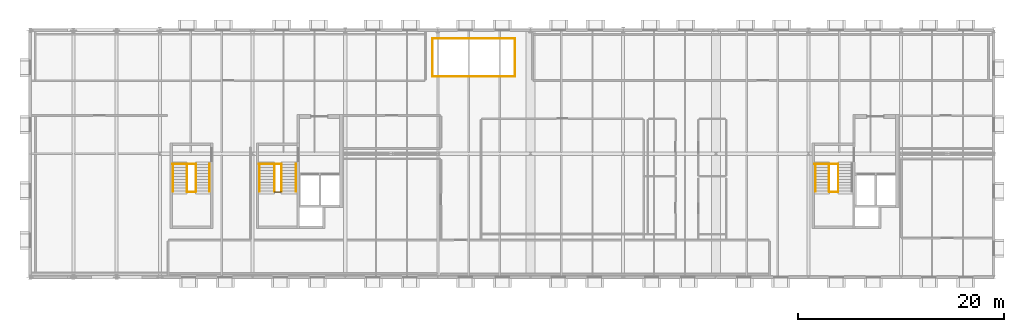
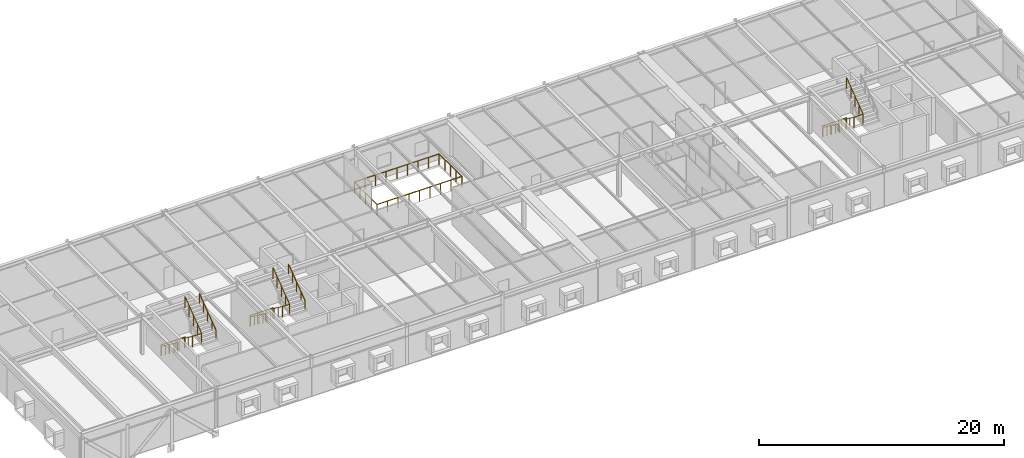
# One storey, part 16 of 17: 21 railings.
"""IFC4 building model written with IfcOpenShell, lengths in metres."""

from ifc_helpers import new_model, si_unit, direction, frame, origin, origin_2d, place, context, subcontext, project, spatial, circle, extrude, material, type_object, element, save


model = new_model("IFC4")

# Units and contexts
model_context = context("Model", 3, precision=1e-05, world=origin(), true_north=direction((0.0, 1.0)))
body_context = subcontext(model_context, "Body", "Model", "MODEL_VIEW")
ifc_project = project(units=[si_unit("LENGTHUNIT", "METRE"), si_unit("AREAUNIT", "SQUARE_METRE"), si_unit("VOLUMEUNIT", "CUBIC_METRE"), si_unit("PLANEANGLEUNIT", "RADIAN"), si_unit("MASSUNIT", "GRAM", prefix="KILO")], contexts=[model_context])

# Site, building, storey
site_placement = place(None, origin())
site = spatial("IfcSite", under=ifc_project, at=site_placement, CompositionType="ELEMENT")
building_placement = place(site_placement, origin())
building = spatial("IfcBuilding", under=site, at=building_placement, Name="Montelvaro Courts of Justice", CompositionType="ELEMENT")
storey_placement = place(building_placement, frame((0.0, 0.0, 31.39990234375)))
storey = spatial("IfcBuildingStorey", under=building, at=storey_placement, Name="L07", CompositionType="ELEMENT", Elevation=31.39990234375)

# Railings
ifc_material_1 = material(Name="Steel S355", Category="steel")
railing_type_1 = type_object("IfcRailingType", Name="InteriorGuard_1100", PredefinedType="BALUSTRADE", material=ifc_material_1)
railing_1_placement = place(storey_placement, frame((54.60009765625, 11.0, 0.0)))
element("IfcRailing", 1, at=railing_1_placement, inside=storey, type_object=railing_type_1, Name="Stair Well Guard GR-02 ST-K1-L06-TLG", PredefinedType="BALUSTRADE", context=body_context, shape_type="SweptSolid", body=[
    extrude(circle(Radius=0.02392578125, at=origin_2d()), frame((0.0, 0.0, 1.076171875), z_axis=(1.0, 0.0, 0.0), x_axis=(0.0, 1.0, 0.0)), (0.0, 0.0, 1.0), 2.18994140625),
    extrude(circle(Radius=0.02099609375, at=origin_2d()), origin(), (0.0, 0.0, 1.0), 1.052001953125),
    extrude(circle(Radius=0.02099609375, at=origin_2d()), frame((0.72998046875, 0.0, 0.0)), (0.0, 0.0, 1.0), 1.052001953125),
    extrude(circle(Radius=0.02099609375, at=origin_2d()), frame((1.4599609375, 0.0, 0.0)), (0.0, 0.0, 1.0), 1.052001953125),
    extrude(circle(Radius=0.02099609375, at=origin_2d()), frame((2.18994140625, 0.0, 0.0)), (0.0, 0.0, 1.0), 1.052001953125),
])
railing_2_placement = place(storey_placement, frame((56.110107421875, 11.0, 0.0)))
element("IfcRailing", 2, at=railing_2_placement, inside=storey, type_object=railing_type_1, Name="Stair Well Guard GR-02 ST-K1-L07-F1G", PredefinedType="BALUSTRADE", context=body_context, shape_type="SweptSolid", body=[
    extrude(circle(Radius=0.02392578125, at=origin_2d()), frame((0.0, 0.0, 1.076171875), z_axis=(0.0, -0.803036263579, 0.595930163171), x_axis=(1.0, 0.0, 0.0)), (0.0, 0.0, 1.0), 3.356201171875),
    extrude(circle(Radius=0.02099609375, at=origin_2d()), origin(), (0.0, 0.0, 1.0), 1.052001953125),
    extrude(circle(Radius=0.02099609375, at=origin_2d()), frame((0.0, -0.673828125, 0.5)), (0.0, 0.0, 1.0), 1.052001953125),
    extrude(circle(Radius=0.02099609375, at=origin_2d()), frame((0.0, -1.34765625, 1.0)), (0.0, 0.0, 1.0), 1.052001953125),
    extrude(circle(Radius=0.02099609375, at=origin_2d()), frame((0.0, -2.021240234375, 1.5)), (0.0, 0.0, 1.0), 1.052001953125),
    extrude(circle(Radius=0.02099609375, at=origin_2d()), frame((0.0, -2.695068359375, 2.0)), (0.0, 0.0, 1.0), 1.052001953125),
])
railing_3_placement = place(storey_placement, frame((56.7900390625, 8.304931640625, 2.0)))
element("IfcRailing", 3, at=railing_3_placement, inside=storey, type_object=railing_type_1, Name="Stair Well Guard GR-02 ST-K1-L07-F2G", PredefinedType="BALUSTRADE", context=body_context, shape_type="SweptSolid", body=[
    extrude(circle(Radius=0.02392578125, at=origin_2d()), frame((0.0, 0.0, 1.076171875), z_axis=(0.0, 0.803036263579, 0.595930163171), x_axis=(-1.0, 0.0, 0.0)), (0.0, 0.0, 1.0), 3.356201171875),
    extrude(circle(Radius=0.02099609375, at=origin_2d()), origin(), (0.0, 0.0, 1.0), 1.052001953125),
    extrude(circle(Radius=0.02099609375, at=origin_2d()), frame((0.0, 0.673828125, 0.5)), (0.0, 0.0, 1.0), 1.052001953125),
    extrude(circle(Radius=0.02099609375, at=origin_2d()), frame((0.0, 1.34765625, 1.0)), (0.0, 0.0, 1.0), 1.052001953125),
    extrude(circle(Radius=0.02099609375, at=origin_2d()), frame((0.0, 2.021240234375, 1.5)), (0.0, 0.0, 1.0), 1.052001953125),
    extrude(circle(Radius=0.02099609375, at=origin_2d()), frame((0.0, 2.695068359375, 2.0)), (0.0, 0.0, 1.0), 1.052001953125),
])
railing_4_placement = place(storey_placement, frame((56.110107421875, 8.304931640625, 2.0)))
element("IfcRailing", 4, at=railing_4_placement, inside=storey, type_object=railing_type_1, Name="Stair Well Guard GR-02 ST-K1-L07-MLG", PredefinedType="BALUSTRADE", context=body_context, shape_type="SweptSolid", body=[
    extrude(circle(Radius=0.02392578125, at=origin_2d()), frame((0.0, 0.0, 1.076171875), z_axis=(1.0, 0.0, 0.0), x_axis=(0.0, 1.0, 0.0)), (0.0, 0.0, 1.0), 0.679931640625),
    extrude(circle(Radius=0.02099609375, at=origin_2d()), origin(), (0.0, 0.0, 1.0), 1.052001953125),
    extrude(circle(Radius=0.02099609375, at=origin_2d()), frame((0.679931640625, 0.0, 0.0)), (0.0, 0.0, 1.0), 1.052001953125),
])
railing_5_placement = place(storey_placement, frame((108.60009765625, 11.0, 0.0)))
element("IfcRailing", 5, at=railing_5_placement, inside=storey, type_object=railing_type_1, Name="Stair Well Guard GR-02 ST-K2-L06-TLG", PredefinedType="BALUSTRADE", context=body_context, shape_type="SweptSolid", body=[
    extrude(circle(Radius=0.02392578125, at=origin_2d()), frame((0.0, 0.0, 1.076171875), z_axis=(1.0, 0.0, 0.0), x_axis=(0.0, 1.0, 0.0)), (0.0, 0.0, 1.0), 2.289794921875),
    extrude(circle(Radius=0.02099609375, at=origin_2d()), origin(), (0.0, 0.0, 1.0), 1.052001953125),
    extrude(circle(Radius=0.02099609375, at=origin_2d()), frame((0.76318359375, 0.0, 0.0)), (0.0, 0.0, 1.0), 1.052001953125),
    extrude(circle(Radius=0.02099609375, at=origin_2d()), frame((1.526611328125, 0.0, 0.0)), (0.0, 0.0, 1.0), 1.052001953125),
    extrude(circle(Radius=0.02099609375, at=origin_2d()), frame((2.289794921875, 0.0, 0.0)), (0.0, 0.0, 1.0), 1.052001953125),
])
railing_6_placement = place(storey_placement, frame((110.010009765625, 11.0, 0.0)))
element("IfcRailing", 6, at=railing_6_placement, inside=storey, type_object=railing_type_1, Name="Stair Well Guard GR-02 ST-K2-L07-F1G", PredefinedType="BALUSTRADE", context=body_context, shape_type="SweptSolid", body=[
    extrude(circle(Radius=0.02392578125, at=origin_2d()), frame((0.0, 0.0, 1.076171875), z_axis=(0.0, -0.803036263579, 0.595930163171), x_axis=(1.0, 0.0, 0.0)), (0.0, 0.0, 1.0), 3.356201171875),
    extrude(circle(Radius=0.02099609375, at=origin_2d()), origin(), (0.0, 0.0, 1.0), 1.052001953125),
    extrude(circle(Radius=0.02099609375, at=origin_2d()), frame((0.0, -0.673828125, 0.5)), (0.0, 0.0, 1.0), 1.052001953125),
    extrude(circle(Radius=0.02099609375, at=origin_2d()), frame((0.0, -1.34765625, 1.0)), (0.0, 0.0, 1.0), 1.052001953125),
    extrude(circle(Radius=0.02099609375, at=origin_2d()), frame((0.0, -2.021240234375, 1.5)), (0.0, 0.0, 1.0), 1.052001953125),
    extrude(circle(Radius=0.02099609375, at=origin_2d()), frame((0.0, -2.695068359375, 2.0)), (0.0, 0.0, 1.0), 1.052001953125),
])
railing_7_placement = place(storey_placement, frame((110.889892578125, 8.304931640625, 2.0)))
element("IfcRailing", 7, at=railing_7_placement, inside=storey, type_object=railing_type_1, Name="Stair Well Guard GR-02 ST-K2-L07-F2G", PredefinedType="BALUSTRADE", context=body_context, shape_type="SweptSolid", body=[
    extrude(circle(Radius=0.02392578125, at=origin_2d()), frame((0.0, 0.0, 1.076171875), z_axis=(0.0, 0.803036263579, 0.595930163171), x_axis=(-1.0, 0.0, 0.0)), (0.0, 0.0, 1.0), 3.356201171875),
    extrude(circle(Radius=0.02099609375, at=origin_2d()), origin(), (0.0, 0.0, 1.0), 1.052001953125),
    extrude(circle(Radius=0.02099609375, at=origin_2d()), frame((0.0, 0.673828125, 0.5)), (0.0, 0.0, 1.0), 1.052001953125),
    extrude(circle(Radius=0.02099609375, at=origin_2d()), frame((0.0, 1.34765625, 1.0)), (0.0, 0.0, 1.0), 1.052001953125),
    extrude(circle(Radius=0.02099609375, at=origin_2d()), frame((0.0, 2.021240234375, 1.5)), (0.0, 0.0, 1.0), 1.052001953125),
    extrude(circle(Radius=0.02099609375, at=origin_2d()), frame((0.0, 2.695068359375, 2.0)), (0.0, 0.0, 1.0), 1.052001953125),
])
railing_8_placement = place(storey_placement, frame((110.010009765625, 8.304931640625, 2.0)))
element("IfcRailing", 8, at=railing_8_placement, inside=storey, type_object=railing_type_1, Name="Stair Well Guard GR-02 ST-K2-L07-MLG", PredefinedType="BALUSTRADE", context=body_context, shape_type="SweptSolid", body=[
    extrude(circle(Radius=0.02392578125, at=origin_2d()), frame((0.0, 0.0, 1.076171875), z_axis=(1.0, 0.0, 0.0), x_axis=(0.0, 1.0, 0.0)), (0.0, 0.0, 1.0), 0.8798828125),
    extrude(circle(Radius=0.02099609375, at=origin_2d()), origin(), (0.0, 0.0, 1.0), 1.052001953125),
    extrude(circle(Radius=0.02099609375, at=origin_2d()), frame((0.8798828125, 0.0, 0.0)), (0.0, 0.0, 1.0), 1.052001953125),
])
railing_9_placement = place(storey_placement, frame((46.199951171875, 11.0, 0.0)))
element("IfcRailing", 9, at=railing_9_placement, inside=storey, type_object=railing_type_1, Name="Stair Well Guard GR-02 ST-E1-L06-TLG", PredefinedType="BALUSTRADE", context=body_context, shape_type="SweptSolid", body=[
    extrude(circle(Radius=0.02392578125, at=origin_2d()), frame((0.0, 0.0, 1.076171875), z_axis=(1.0, 0.0, 0.0), x_axis=(0.0, 1.0, 0.0)), (0.0, 0.0, 1.0), 2.2900390625),
    extrude(circle(Radius=0.02099609375, at=origin_2d()), origin(), (0.0, 0.0, 1.0), 1.052001953125),
    extrude(circle(Radius=0.02099609375, at=origin_2d()), frame((0.763427734375, 0.0, 0.0)), (0.0, 0.0, 1.0), 1.052001953125),
    extrude(circle(Radius=0.02099609375, at=origin_2d()), frame((1.526611328125, 0.0, 0.0)), (0.0, 0.0, 1.0), 1.052001953125),
    extrude(circle(Radius=0.02099609375, at=origin_2d()), frame((2.2900390625, 0.0, 0.0)), (0.0, 0.0, 1.0), 1.052001953125),
])
railing_10_placement = place(storey_placement, frame((47.610107421875, 11.0, 0.0)))
element("IfcRailing", 10, at=railing_10_placement, inside=storey, type_object=railing_type_1, Name="Stair Well Guard GR-02 ST-E1-L07-F1G", PredefinedType="BALUSTRADE", context=body_context, shape_type="SweptSolid", body=[
    extrude(circle(Radius=0.02392578125, at=origin_2d()), frame((0.0, 0.0, 1.076171875), z_axis=(0.0, -0.803036263579, 0.595930163171), x_axis=(1.0, 0.0, 0.0)), (0.0, 0.0, 1.0), 3.356201171875),
    extrude(circle(Radius=0.02099609375, at=origin_2d()), origin(), (0.0, 0.0, 1.0), 1.052001953125),
    extrude(circle(Radius=0.02099609375, at=origin_2d()), frame((0.0, -0.673828125, 0.5)), (0.0, 0.0, 1.0), 1.052001953125),
    extrude(circle(Radius=0.02099609375, at=origin_2d()), frame((0.0, -1.34765625, 1.0)), (0.0, 0.0, 1.0), 1.052001953125),
    extrude(circle(Radius=0.02099609375, at=origin_2d()), frame((0.0, -2.021240234375, 1.5)), (0.0, 0.0, 1.0), 1.052001953125),
    extrude(circle(Radius=0.02099609375, at=origin_2d()), frame((0.0, -2.695068359375, 2.0)), (0.0, 0.0, 1.0), 1.052001953125),
])
railing_11_placement = place(storey_placement, frame((48.489990234375, 8.304931640625, 2.0)))
element("IfcRailing", 11, at=railing_11_placement, inside=storey, type_object=railing_type_1, Name="Stair Well Guard GR-02 ST-E1-L07-F2G", PredefinedType="BALUSTRADE", context=body_context, shape_type="SweptSolid", body=[
    extrude(circle(Radius=0.02392578125, at=origin_2d()), frame((0.0, 0.0, 1.076171875), z_axis=(0.0, 0.803036263579, 0.595930163171), x_axis=(-1.0, 0.0, 0.0)), (0.0, 0.0, 1.0), 3.356201171875),
    extrude(circle(Radius=0.02099609375, at=origin_2d()), origin(), (0.0, 0.0, 1.0), 1.052001953125),
    extrude(circle(Radius=0.02099609375, at=origin_2d()), frame((0.0, 0.673828125, 0.5)), (0.0, 0.0, 1.0), 1.052001953125),
    extrude(circle(Radius=0.02099609375, at=origin_2d()), frame((0.0, 1.34765625, 1.0)), (0.0, 0.0, 1.0), 1.052001953125),
    extrude(circle(Radius=0.02099609375, at=origin_2d()), frame((0.0, 2.021240234375, 1.5)), (0.0, 0.0, 1.0), 1.052001953125),
    extrude(circle(Radius=0.02099609375, at=origin_2d()), frame((0.0, 2.695068359375, 2.0)), (0.0, 0.0, 1.0), 1.052001953125),
])
railing_12_placement = place(storey_placement, frame((47.610107421875, 8.304931640625, 2.0)))
element("IfcRailing", 12, at=railing_12_placement, inside=storey, type_object=railing_type_1, Name="Stair Well Guard GR-02 ST-E1-L07-MLG", PredefinedType="BALUSTRADE", context=body_context, shape_type="SweptSolid", body=[
    extrude(circle(Radius=0.02392578125, at=origin_2d()), frame((0.0, 0.0, 1.076171875), z_axis=(1.0, 0.0, 0.0), x_axis=(0.0, 1.0, 0.0)), (0.0, 0.0, 1.0), 0.8798828125),
    extrude(circle(Radius=0.02099609375, at=origin_2d()), origin(), (0.0, 0.0, 1.0), 1.052001953125),
    extrude(circle(Radius=0.02099609375, at=origin_2d()), frame((0.8798828125, 0.0, 0.0)), (0.0, 0.0, 1.0), 1.052001953125),
])
railing_13_placement = place(storey_placement, frame((71.5, 19.5, 0.0)))
element("IfcRailing", 13, at=railing_13_placement, inside=storey, type_object=railing_type_1, Name="Atrium Void Balustrade GR-02 (L07)", PredefinedType="BALUSTRADE", context=body_context, shape_type="SweptSolid", body=[
    extrude(circle(Radius=0.02392578125, at=origin_2d()), frame((0.0, 0.0, 1.076171875), z_axis=(1.0, 0.0, 0.0), x_axis=(0.0, 1.0, 0.0)), (0.0, 0.0, 1.0), 8.0),
    extrude(circle(Radius=0.02099609375, at=origin_2d()), origin(), (0.0, 0.0, 1.0), 1.052001953125),
    extrude(circle(Radius=0.02099609375, at=origin_2d()), frame((1.0, 0.0, 0.0)), (0.0, 0.0, 1.0), 1.052001953125),
    extrude(circle(Radius=0.02099609375, at=origin_2d()), frame((2.0, 0.0, 0.0)), (0.0, 0.0, 1.0), 1.052001953125),
    extrude(circle(Radius=0.02099609375, at=origin_2d()), frame((3.0, 0.0, 0.0)), (0.0, 0.0, 1.0), 1.052001953125),
    extrude(circle(Radius=0.02099609375, at=origin_2d()), frame((4.0, 0.0, 0.0)), (0.0, 0.0, 1.0), 1.052001953125),
    extrude(circle(Radius=0.02099609375, at=origin_2d()), frame((5.0, 0.0, 0.0)), (0.0, 0.0, 1.0), 1.052001953125),
    extrude(circle(Radius=0.02099609375, at=origin_2d()), frame((6.0, 0.0, 0.0)), (0.0, 0.0, 1.0), 1.052001953125),
    extrude(circle(Radius=0.02099609375, at=origin_2d()), frame((7.0, 0.0, 0.0)), (0.0, 0.0, 1.0), 1.052001953125),
    extrude(circle(Radius=0.02099609375, at=origin_2d()), frame((8.0, 0.0, 0.0)), (0.0, 0.0, 1.0), 1.052001953125),
])
railing_14_placement = place(storey_placement, frame((79.5, 19.5, 0.0)))
element("IfcRailing", 14, at=railing_14_placement, inside=storey, type_object=railing_type_1, Name="Atrium Void Balustrade GR-02 (L07)", PredefinedType="BALUSTRADE", context=body_context, shape_type="SweptSolid", body=[
    extrude(circle(Radius=0.02392578125, at=origin_2d()), frame((0.0, 0.0, 1.076171875), z_axis=(0.0, 1.0, 0.0), x_axis=(-1.0, 0.0, 0.0)), (0.0, 0.0, 1.0), 3.699951171875),
    extrude(circle(Radius=0.02099609375, at=origin_2d()), origin(), (0.0, 0.0, 1.0), 1.052001953125),
    extrude(circle(Radius=0.02099609375, at=origin_2d()), frame((0.0, 0.925048828125, 0.0)), (0.0, 0.0, 1.0), 1.052001953125),
    extrude(circle(Radius=0.02099609375, at=origin_2d()), frame((0.0, 1.85009765625, 0.0)), (0.0, 0.0, 1.0), 1.052001953125),
    extrude(circle(Radius=0.02099609375, at=origin_2d()), frame((0.0, 2.77490234375, 0.0)), (0.0, 0.0, 1.0), 1.052001953125),
    extrude(circle(Radius=0.02099609375, at=origin_2d()), frame((0.0, 3.699951171875, 0.0)), (0.0, 0.0, 1.0), 1.052001953125),
])
railing_15_placement = place(storey_placement, frame((79.5, 23.199951171875, 0.0)))
element("IfcRailing", 15, at=railing_15_placement, inside=storey, type_object=railing_type_1, Name="Atrium Void Balustrade GR-02 (L07)", PredefinedType="BALUSTRADE", context=body_context, shape_type="SweptSolid", body=[
    extrude(circle(Radius=0.02392578125, at=origin_2d()), frame((0.0, 0.0, 1.076171875), z_axis=(-1.0, 0.0, 0.0), x_axis=(0.0, -1.0, 0.0)), (0.0, 0.0, 1.0), 8.0),
    extrude(circle(Radius=0.02099609375, at=origin_2d()), origin(), (0.0, 0.0, 1.0), 1.052001953125),
    extrude(circle(Radius=0.02099609375, at=origin_2d()), frame((-1.0, 0.0, 0.0)), (0.0, 0.0, 1.0), 1.052001953125),
    extrude(circle(Radius=0.02099609375, at=origin_2d()), frame((-2.0, 0.0, 0.0)), (0.0, 0.0, 1.0), 1.052001953125),
    extrude(circle(Radius=0.02099609375, at=origin_2d()), frame((-3.0, 0.0, 0.0)), (0.0, 0.0, 1.0), 1.052001953125),
    extrude(circle(Radius=0.02099609375, at=origin_2d()), frame((-4.0, 0.0, 0.0)), (0.0, 0.0, 1.0), 1.052001953125),
    extrude(circle(Radius=0.02099609375, at=origin_2d()), frame((-5.0, 0.0, 0.0)), (0.0, 0.0, 1.0), 1.052001953125),
    extrude(circle(Radius=0.02099609375, at=origin_2d()), frame((-6.0, 0.0, 0.0)), (0.0, 0.0, 1.0), 1.052001953125),
    extrude(circle(Radius=0.02099609375, at=origin_2d()), frame((-7.0, 0.0, 0.0)), (0.0, 0.0, 1.0), 1.052001953125),
    extrude(circle(Radius=0.02099609375, at=origin_2d()), frame((-8.0, 0.0, 0.0)), (0.0, 0.0, 1.0), 1.052001953125),
])
railing_16_placement = place(storey_placement, frame((71.5, 23.199951171875, 0.0)))
element("IfcRailing", 16, at=railing_16_placement, inside=storey, type_object=railing_type_1, Name="Atrium Void Balustrade GR-02 (L07)", PredefinedType="BALUSTRADE", context=body_context, shape_type="SweptSolid", body=[
    extrude(circle(Radius=0.02392578125, at=origin_2d()), frame((0.0, 0.0, 1.076171875), z_axis=(0.0, -1.0, 0.0), x_axis=(1.0, 0.0, 0.0)), (0.0, 0.0, 1.0), 3.699951171875),
    extrude(circle(Radius=0.02099609375, at=origin_2d()), origin(), (0.0, 0.0, 1.0), 1.052001953125),
    extrude(circle(Radius=0.02099609375, at=origin_2d()), frame((0.0, -0.925048828125, 0.0)), (0.0, 0.0, 1.0), 1.052001953125),
    extrude(circle(Radius=0.02099609375, at=origin_2d()), frame((0.0, -1.85009765625, 0.0)), (0.0, 0.0, 1.0), 1.052001953125),
    extrude(circle(Radius=0.02099609375, at=origin_2d()), frame((0.0, -2.77490234375, 0.0)), (0.0, 0.0, 1.0), 1.052001953125),
    extrude(circle(Radius=0.02099609375, at=origin_2d()), frame((0.0, -3.699951171875, 0.0)), (0.0, 0.0, 1.0), 1.052001953125),
])
ifc_material_2 = material(Name="Austenitic stainless steel EN 1.4401", Category="steel")
railing_type_2 = type_object("IfcRailingType", Name="StairHandrail_950", PredefinedType="HANDRAIL", material=ifc_material_2)
railing_17_placement = place(storey_placement, frame((54.659912109375, 11.0, 0.0)))
element("IfcRailing", 17, at=railing_17_placement, inside=storey, type_object=railing_type_2, Name="Stair Pitch Handrail HR-01 ST-K1-L07-F1H", PredefinedType="HANDRAIL", context=body_context, shape_type="SweptSolid", body=[
    extrude(circle(Radius=0.02392578125, at=origin_2d()), frame((0.0, 0.0, 0.92578125), z_axis=(0.0, -0.803036263579, 0.595930163171), x_axis=(1.0, 0.0, 0.0)), (0.0, 0.0, 1.0), 3.356201171875),
    extrude(circle(Radius=0.02099609375, at=origin_2d()), origin(), (0.0, 0.0, 1.0), 0.90185546875),
    extrude(circle(Radius=0.02099609375, at=origin_2d()), frame((0.0, -0.673828125, 0.5)), (0.0, 0.0, 1.0), 0.90185546875),
    extrude(circle(Radius=0.02099609375, at=origin_2d()), frame((0.0, -1.34765625, 1.0)), (0.0, 0.0, 1.0), 0.90185546875),
    extrude(circle(Radius=0.02099609375, at=origin_2d()), frame((0.0, -2.021240234375, 1.5)), (0.0, 0.0, 1.0), 0.90185546875),
    extrude(circle(Radius=0.02099609375, at=origin_2d()), frame((0.0, -2.695068359375, 2.0)), (0.0, 0.0, 1.0), 0.90185546875),
])
railing_18_placement = place(storey_placement, frame((58.239990234375, 8.304931640625, 2.0)))
element("IfcRailing", 18, at=railing_18_placement, inside=storey, type_object=railing_type_2, Name="Stair Pitch Handrail HR-01 ST-K1-L07-F2H", PredefinedType="HANDRAIL", context=body_context, shape_type="SweptSolid", body=[
    extrude(circle(Radius=0.02392578125, at=origin_2d()), frame((0.0, 0.0, 0.92578125), z_axis=(0.0, 0.803036263579, 0.595930163171), x_axis=(-1.0, 0.0, 0.0)), (0.0, 0.0, 1.0), 3.356201171875),
    extrude(circle(Radius=0.02099609375, at=origin_2d()), origin(), (0.0, 0.0, 1.0), 0.90185546875),
    extrude(circle(Radius=0.02099609375, at=origin_2d()), frame((0.0, 0.673828125, 0.5)), (0.0, 0.0, 1.0), 0.90185546875),
    extrude(circle(Radius=0.02099609375, at=origin_2d()), frame((0.0, 1.34765625, 1.0)), (0.0, 0.0, 1.0), 0.90185546875),
    extrude(circle(Radius=0.02099609375, at=origin_2d()), frame((0.0, 2.021240234375, 1.5)), (0.0, 0.0, 1.0), 0.90185546875),
    extrude(circle(Radius=0.02099609375, at=origin_2d()), frame((0.0, 2.695068359375, 2.0)), (0.0, 0.0, 1.0), 0.90185546875),
])
for number, where, name in (
    (19, (108.659912109375, 11.0, 0.0), "Stair Pitch Handrail HR-01 ST-K2-L07-F1H"),
    (20, (46.260009765625, 11.0, 0.0), "Stair Pitch Handrail HR-01 ST-E1-L07-F1H"),
):
    element("IfcRailing", number, at=place(storey_placement, frame(where)), inside=storey, type_object=railing_type_2, Name=name, PredefinedType="HANDRAIL", context=body_context, shape_type="SweptSolid", body=[
        extrude(circle(Radius=0.02392578125, at=origin_2d()), frame((0.0, 0.0, 0.92578125), z_axis=(0.0, -0.803036263579, 0.595930163171), x_axis=(1.0, 0.0, 0.0)), (0.0, 0.0, 1.0), 3.356201171875),
        extrude(circle(Radius=0.02099609375, at=origin_2d()), origin(), (0.0, 0.0, 1.0), 0.90185546875),
        extrude(circle(Radius=0.02099609375, at=origin_2d()), frame((0.0, -0.673828125, 0.5)), (0.0, 0.0, 1.0), 0.90185546875),
        extrude(circle(Radius=0.02099609375, at=origin_2d()), frame((0.0, -1.34765625, 1.0)), (0.0, 0.0, 1.0), 0.90185546875),
        extrude(circle(Radius=0.02099609375, at=origin_2d()), frame((0.0, -2.021240234375, 1.5)), (0.0, 0.0, 1.0), 0.90185546875),
        extrude(circle(Radius=0.02099609375, at=origin_2d()), frame((0.0, -2.695068359375, 2.0)), (0.0, 0.0, 1.0), 0.90185546875),
    ])
railing_19_placement = place(storey_placement, frame((49.840087890625, 8.304931640625, 2.0)))
element("IfcRailing", 21, at=railing_19_placement, inside=storey, type_object=railing_type_2, Name="Stair Pitch Handrail HR-01 ST-E1-L07-F2H", PredefinedType="HANDRAIL", context=body_context, shape_type="SweptSolid", body=[
    extrude(circle(Radius=0.02392578125, at=origin_2d()), frame((0.0, 0.0, 0.92578125), z_axis=(0.0, 0.803036263579, 0.595930163171), x_axis=(-1.0, 0.0, 0.0)), (0.0, 0.0, 1.0), 3.356201171875),
    extrude(circle(Radius=0.02099609375, at=origin_2d()), origin(), (0.0, 0.0, 1.0), 0.90185546875),
    extrude(circle(Radius=0.02099609375, at=origin_2d()), frame((0.0, 0.673828125, 0.5)), (0.0, 0.0, 1.0), 0.90185546875),
    extrude(circle(Radius=0.02099609375, at=origin_2d()), frame((0.0, 1.34765625, 1.0)), (0.0, 0.0, 1.0), 0.90185546875),
    extrude(circle(Radius=0.02099609375, at=origin_2d()), frame((0.0, 2.021240234375, 1.5)), (0.0, 0.0, 1.0), 0.90185546875),
    extrude(circle(Radius=0.02099609375, at=origin_2d()), frame((0.0, 2.695068359375, 2.0)), (0.0, 0.0, 1.0), 0.90185546875),
])

save(model, "model.ifc")
